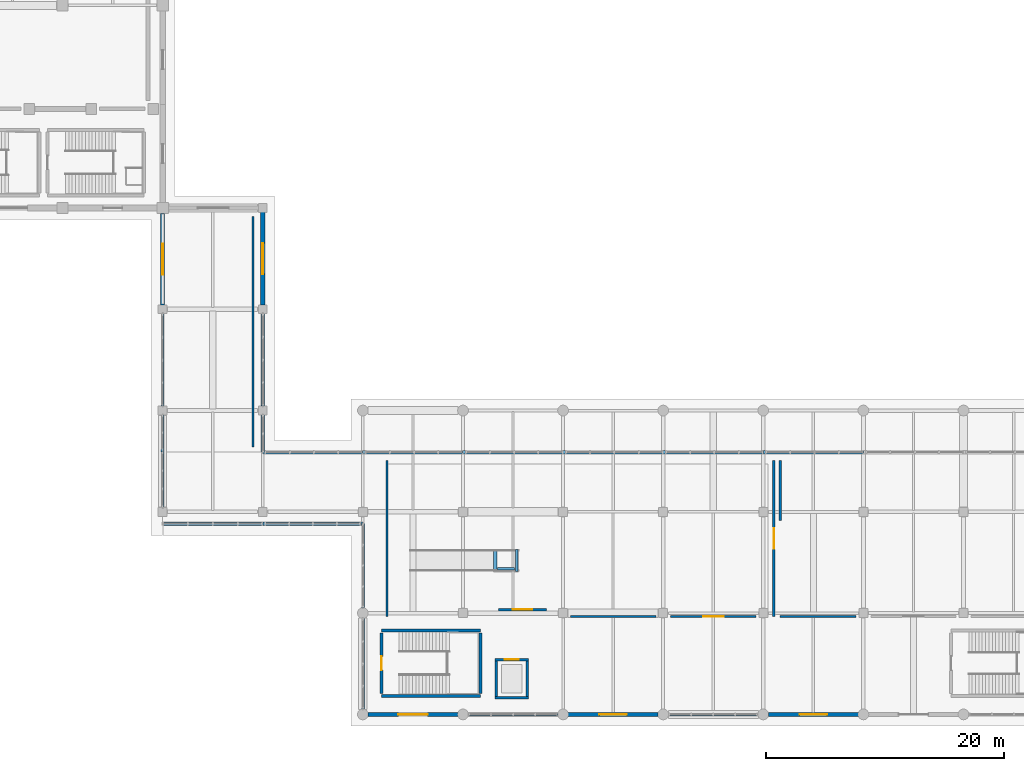
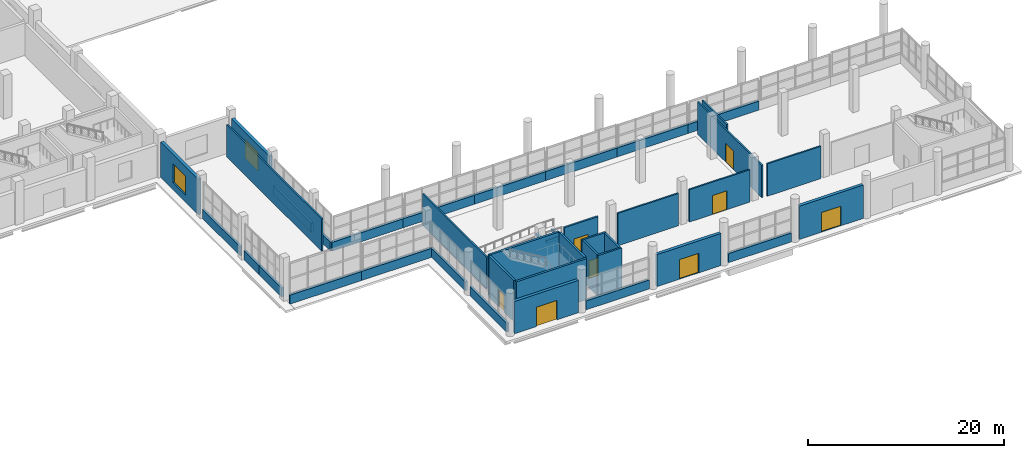
# One storey, part 91 of 107: 41 walls, 8 doors, 2 windows, 10 openings.
"""IFC4 building model written with IfcOpenShell, lengths in metres."""

from ifc_helpers import new_model, si_unit, direction, frame, frame_2d, origin, place, context, subcontext, project, spatial, rectangle, extrude, material, layer, layer_set, type_object, element, fill, save


model = new_model("IFC4")

# Units and contexts
model_context = context("Model", 3, precision=1e-05, world=origin(), true_north=direction((0.0, 1.0)))
body_context = subcontext(model_context, "Body", "Model", "MODEL_VIEW")
ifc_project = project(units=[si_unit("LENGTHUNIT", "METRE"), si_unit("AREAUNIT", "SQUARE_METRE"), si_unit("VOLUMEUNIT", "CUBIC_METRE"), si_unit("PLANEANGLEUNIT", "RADIAN"), si_unit("MASSUNIT", "GRAM", prefix="KILO")], contexts=[model_context])

# Site, building, storey
site_placement = place(None, origin())
site = spatial("IfcSite", under=ifc_project, at=site_placement, CompositionType="ELEMENT")
building_placement = place(site_placement, origin())
building = spatial("IfcBuilding", under=site, at=building_placement, Name="Solvento Point Concert Hall", CompositionType="ELEMENT")
storey_placement = place(building_placement, origin())
storey = spatial("IfcBuildingStorey", under=building, at=storey_placement, Name="L00", CompositionType="ELEMENT", Elevation=0.0)

# Wall, opening, door
ifc_material_1 = material(Name="Acoustic Double-Stud Gypsum Partition")
ifc_layer_1 = layer(ifc_material_1, 0.179931640625)
ifc_layer_set_1 = layer_set([ifc_layer_1], Name="Acoustic Double-Stud Gypsum Partition")
wall_type_1 = type_object("IfcWallType", Name="AcousticPartition_180", PredefinedType="PARTITIONING", material=ifc_layer_set_1)
wall_1_placement = place(storey_placement, frame((182.97509765625, 8.219970703125, 0.0), z_axis=(0.0, 0.0, 1.0), x_axis=(-1.0, 0.0, 0.0)))
wall_1 = element("IfcWall", 1, at=wall_1_placement, inside=storey, type_object=wall_type_1, Name="Interior acoustic partition PW-63 L00", PredefinedType="PARTITIONING", context=body_context, shape_type="SweptSolid", body=[
    extrude(rectangle(XDim=7.150146484375, YDim=0.179931640625, at=frame_2d((3.5751953125, 0.0))), origin(), (0.0, 0.0, 1.0), 4.0400390625),
])
opening_1_placement = place(wall_1_placement, frame((2.715087890625, 0.0, 0.0)))
opening_1 = element("IfcOpeningElement", 2, at=opening_1_placement, cuts=wall_1, Name="Opening DR-35", PredefinedType="OPENING", context=body_context, shape_type="SweptSolid", body=[
    extrude(rectangle(XDim=1.719970703125, YDim=2.360107421875, at=frame_2d((0.85986328125, 1.18017578125))), frame((0.0, 0.099853515625, 0.0), z_axis=(0.0, -1.0, 0.0), x_axis=(1.0, 0.0, 0.0)), (0.0, 0.0, 1.0), 0.199951171875),
])
ifc_material_2 = material(Name="Brazilian Hardwood Acoustic Door", Category="wood")
door_type_1 = type_object("IfcDoorType", Name="IntDoor_FoyerCafeRetail", OperationType="NOTDEFINED", PredefinedType="DOOR", material=ifc_material_2)
door_1_placement = place(opening_1_placement, origin())
door_1 = element("IfcDoor", 3, at=door_1_placement, inside=storey, type_object=door_type_1, Name="Interior door DR-35 L00", OperationType="SINGLE_SWING_LEFT", OverallHeight=2.360107421875, OverallWidth=1.719970703125, PredefinedType="DOOR", context=body_context, shape_type="SweptSolid", body=[
    extrude(rectangle(XDim=1.719970703125, YDim=2.360107421875, at=frame_2d((0.85986328125, 1.18017578125))), frame((0.0, 0.02490234375, 0.0), z_axis=(0.0, -1.0, 0.0), x_axis=(1.0, 0.0, 0.0)), (0.0, 0.0, 1.0), 0.050048828125),
])
fill(opening_1, door_1)

# Wall
wall_2_placement = place(storey_placement, frame((174.574951171875, 8.219970703125, 0.0), z_axis=(0.0, 0.0, 1.0), x_axis=(-1.0, 0.0, 0.0)))
element("IfcWall", 4, at=wall_2_placement, inside=storey, type_object=wall_type_1, Name="Interior acoustic partition PW-63 L00", PredefinedType="PARTITIONING", context=body_context, shape_type="SweptSolid", body=[
    extrude(rectangle(XDim=7.14990234375, YDim=0.179931640625, at=frame_2d((3.574951171875, 0.0))), origin(), (0.0, 0.0, 1.0), 4.0400390625),
])

# Wall, opening, door
wall_3_placement = place(storey_placement, frame((184.47998046875, 21.300048828125, 0.0), z_axis=(0.0, 0.0, 1.0), x_axis=(0.0, -1.0, 0.0)))
wall_3 = element("IfcWall", 5, at=wall_3_placement, inside=storey, type_object=wall_type_1, Name="Interior acoustic partition PW-63 L00", PredefinedType="PARTITIONING", context=body_context, shape_type="SweptSolid", body=[
    extrude(rectangle(XDim=13.080078125, YDim=0.179931640625, at=frame_2d((6.5400390625, 0.0))), origin(), (0.0, 0.0, 1.0), 4.0400390625),
])
opening_2_placement = place(wall_3_placement, frame((5.679931640625, 0.0, 0.0)))
opening_2 = element("IfcOpeningElement", 6, at=opening_2_placement, cuts=wall_3, Name="Opening DR-35", PredefinedType="OPENING", context=body_context, shape_type="SweptSolid", body=[
    extrude(rectangle(XDim=1.719970703125, YDim=2.360107421875, at=frame_2d((0.85986328125, 1.18017578125))), frame((0.0, 0.099853515625, 0.0), z_axis=(0.0, -1.0, 0.0), x_axis=(1.0, 0.0, 0.0)), (0.0, 0.0, 1.0), 0.199951171875),
])
door_2_placement = place(opening_2_placement, origin())
door_2 = element("IfcDoor", 7, at=door_2_placement, inside=storey, type_object=door_type_1, Name="Interior door DR-35 L00", OperationType="SINGLE_SWING_RIGHT", OverallHeight=2.360107421875, OverallWidth=1.719970703125, PredefinedType="DOOR", context=body_context, shape_type="SweptSolid", body=[
    extrude(rectangle(XDim=1.719970703125, YDim=2.360107421875, at=frame_2d((0.85986328125, 1.18017578125))), frame((0.0, 0.02490234375, 0.0), z_axis=(0.0, -1.0, 0.0), x_axis=(1.0, 0.0, 0.0)), (0.0, 0.0, 1.0), 0.050048828125),
])
fill(opening_2, door_2)

# Walls
wall_4_placement = place(storey_placement, frame((152.02001953125, 8.219970703125, 0.0), z_axis=(0.0, 0.0, 1.0), x_axis=(0.0, 1.0, 0.0)))
element("IfcWall", 8, at=wall_4_placement, inside=storey, type_object=wall_type_1, Name="Interior acoustic partition PW-63 L00", PredefinedType="PARTITIONING", context=body_context, shape_type="SweptSolid", body=[
    extrude(rectangle(XDim=13.080078125, YDim=0.179931640625, at=frame_2d((6.5400390625, 0.0))), origin(), (0.0, 0.0, 1.0), 3.93798828125),
])
wall_5_placement = place(storey_placement, frame((191.375, 8.219970703125, 0.0), z_axis=(0.0, 0.0, 1.0), x_axis=(-1.0, 0.0, 0.0)))
element("IfcWall", 9, at=wall_5_placement, inside=storey, type_object=wall_type_1, Name="Interior acoustic partition PW-63 L00", PredefinedType="PARTITIONING", context=body_context, shape_type="SweptSolid", body=[
    extrude(rectangle(XDim=6.35498046875, YDim=0.179931640625, at=frame_2d((3.177490234375, 0.0))), origin(), (0.0, 0.0, 1.0), 4.0400390625),
])
wall_6_placement = place(storey_placement, frame((185.02001953125, 16.26416015625, 0.0), z_axis=(0.0, 0.0, 1.0), x_axis=(0.0, 1.0, 0.0)))
element("IfcWall", 10, at=wall_6_placement, inside=storey, type_object=wall_type_1, Name="Interior acoustic partition PW-63 L00", PredefinedType="PARTITIONING", context=body_context, shape_type="SweptSolid", body=[
    extrude(rectangle(XDim=5.035888671875, YDim=0.179931640625, at=frame_2d((2.51806640625, 0.0))), origin(), (0.0, 0.0, 1.0), 4.0400390625),
])
wall_7_placement = place(storey_placement, frame((140.780029296875, 41.800048828125, 0.0), z_axis=(0.0, 0.0, 1.0), x_axis=(0.0, -1.0, 0.0)))
element("IfcWall", 11, at=wall_7_placement, inside=storey, type_object=wall_type_1, Name="Interior acoustic partition PW-63 L00", PredefinedType="PARTITIONING", context=body_context, shape_type="SweptSolid", body=[
    extrude(rectangle(XDim=19.380126953125, YDim=0.179931640625, at=frame_2d((9.68994140625, 0.0))), origin(), (0.0, 0.0, 1.0), 4.0400390625),
])

# Wall, opening, door
ifc_material_3 = material(Name="Acoustic Double-Stud Gypsum Partition")
ifc_layer_2 = layer(ifc_material_3, 0.2080078125)
ifc_layer_set_2 = layer_set([ifc_layer_2], Name="Acoustic Double-Stud Gypsum Partition")
wall_type_2 = type_object("IfcWallType", Name="AcousticPartition_208", PredefinedType="PARTITIONING", material=ifc_layer_set_2)
wall_8_placement = place(storey_placement, frame((165.39990234375, 8.800048828125, 0.0), z_axis=(0.0, 0.0, 1.0), x_axis=(-1.0, 0.0, 0.0)))
wall_8 = element("IfcWall", 12, at=wall_8_placement, inside=storey, type_object=wall_type_2, Name="Lift lobby partition LP-04 L00", PredefinedType="PARTITIONING", context=body_context, shape_type="SweptSolid", body=[
    extrude(rectangle(XDim=4.0, YDim=0.2080078125, at=frame_2d((2.0, 0.0))), origin(), (0.0, 0.0, 1.0), 4.00390625),
])
opening_3_placement = place(wall_8_placement, frame((1.175048828125, 0.0, 0.0)))
opening_3 = element("IfcOpeningElement", 13, at=opening_3_placement, cuts=wall_8, Name="Opening D-FL1", PredefinedType="OPENING", context=body_context, shape_type="SweptSolid", body=[
    extrude(rectangle(XDim=1.64990234375, YDim=2.199951171875, at=frame_2d((0.824951171875, 1.10009765625))), frame((0.0, 0.114013671875, 0.0), z_axis=(0.0, -1.0, 0.0), x_axis=(1.0, 0.0, 0.0)), (0.0, 0.0, 1.0), 0.22802734375),
])
ifc_material_4 = material(Name="Hollow Metal Acoustic Fire Door")
door_type_2 = type_object("IfcDoorType", Name="FireLobbyDoor_1600", OperationType="DOUBLE_DOOR_SINGLE_SWING", PredefinedType="DOOR", material=ifc_material_4)
door_3_placement = place(opening_3_placement, origin())
door_3 = element("IfcDoor", 14, at=door_3_placement, inside=storey, type_object=door_type_2, Name="Lift lobby door LP-04 L00", OperationType="DOUBLE_DOOR_SINGLE_SWING", OverallHeight=2.199951171875, OverallWidth=1.64990234375, PredefinedType="DOOR", context=body_context, shape_type="SweptSolid", body=[
    extrude(rectangle(XDim=1.64990234375, YDim=2.199951171875, at=frame_2d((0.824951171875, 1.10009765625))), frame((0.0, 0.02490234375, 0.0), z_axis=(0.0, -1.0, 0.0), x_axis=(1.0, 0.0, 0.0)), (0.0, 0.0, 1.0), 0.050048828125),
])
fill(opening_3, door_3)

# Walls
ifc_material_5 = material(Name="Concrete C40/50", Category="concrete")
ifc_layer_3 = layer(ifc_material_5, 0.300048828125)
ifc_layer_set_3 = layer_set([ifc_layer_3], Name="Concrete C40/50")
wall_type_3 = type_object("IfcWallType", Name="CoreShearWall_300", PredefinedType="SHEAR", material=ifc_layer_set_3)
for number, where, z_axis, x_axis, name in (
    (15, (159.85009765625, 1.550048828125, 0.0), (0.0, 0.0, 1.0), (-1.0, 0.0, 0.0), "Stair core shear wall W-SH1 ST-08 L00"),
    (16, (151.550048828125, 7.050048828125, 0.0), (0.0, 0.0, 1.0), (1.0, 0.0, 0.0), "Stair core shear wall W-SH1 ST-08 L00"),
):
    element("IfcWall", number, at=place(storey_placement, frame(where, z_axis=z_axis, x_axis=x_axis)), inside=storey, type_object=wall_type_3, Name=name, PredefinedType="SHEAR", context=body_context, shape_type="SweptSolid", body=[
        extrude(rectangle(XDim=8.300048828125, YDim=0.25, at=frame_2d((4.14990234375, 0.0))), origin(), (0.0, 0.0, 1.0), 5.1201171875),
    ])

# Wall, opening, door
wall_9_placement = place(storey_placement, frame((151.550048828125, 1.75, 0.0), z_axis=(0.0, 0.0, 1.0), x_axis=(0.0, 1.0, 0.0)))
wall_9 = element("IfcWall", 17, at=wall_9_placement, inside=storey, type_object=wall_type_3, Name="Stair core shear wall W-SH1 ST-08 L00", PredefinedType="SHEAR", context=body_context, shape_type="SweptSolid", body=[
    extrude(rectangle(XDim=5.10009765625, YDim=0.25, at=frame_2d((2.550048828125, 0.0))), origin(), (0.0, 0.0, 1.0), 5.1201171875),
])
opening_4_placement = place(wall_9_placement, frame((1.97509765625, 0.0, 0.0)))
opening_4 = element("IfcOpeningElement", 18, at=opening_4_placement, cuts=wall_9, Name="Opening D-ST1", PredefinedType="OPENING", context=body_context, shape_type="SweptSolid", body=[
    extrude(rectangle(XDim=1.14990234375, YDim=2.179931640625, at=frame_2d((0.574951171875, 1.08984375))), frame((0.0, 0.135009765625, 0.0), z_axis=(0.0, -1.0, 0.0), x_axis=(1.0, 0.0, 0.0)), (0.0, 0.0, 1.0), 0.27001953125),
])
ifc_material_6 = material(Name="Hollow Metal Acoustic Fire Door")
door_type_3 = type_object("IfcDoorType", Name="StairFireDoor_1150", OperationType="NOTDEFINED", PredefinedType="DOOR", material=ifc_material_6)
door_4_placement = place(opening_4_placement, origin())
door_4 = element("IfcDoor", 19, at=door_4_placement, inside=storey, type_object=door_type_3, Name="Protected exit stair door ST-08 L00", OperationType="SINGLE_SWING_RIGHT", OverallHeight=2.179931640625, OverallWidth=1.14990234375, PredefinedType="DOOR", context=body_context, shape_type="SweptSolid", body=[
    extrude(rectangle(XDim=1.14990234375, YDim=2.179931640625, at=frame_2d((0.574951171875, 1.08984375))), frame((0.0, 0.02490234375, 0.0), z_axis=(0.0, -1.0, 0.0), x_axis=(1.0, 0.0, 0.0)), (0.0, 0.0, 1.0), 0.050048828125),
])
fill(opening_4, door_4)

# Walls
wall_10_placement = place(storey_placement, frame((159.85009765625, 6.85009765625, 0.0), z_axis=(0.0, 0.0, 1.0), x_axis=(0.0, -1.0, 0.0)))
element("IfcWall", 20, at=wall_10_placement, inside=storey, type_object=wall_type_3, Name="Stair core shear wall W-SH1 ST-08 L00", PredefinedType="SHEAR", context=body_context, shape_type="SweptSolid", body=[
    extrude(rectangle(XDim=5.10009765625, YDim=0.25, at=frame_2d((2.550048828125, 0.0))), origin(), (0.0, 0.0, 1.0), 5.1201171875),
])
wall_11_placement = place(storey_placement, frame((161.090087890625, 1.39990234375, 0.0), z_axis=(0.0, 0.0, 1.0), x_axis=(1.0, 0.0, 0.0)))
element("IfcWall", 21, at=wall_11_placement, inside=storey, type_object=wall_type_3, Name="Elevator shaft shear wall W-SH1 LP-04 L00", PredefinedType="SHEAR", context=body_context, shape_type="SweptSolid", body=[
    extrude(rectangle(XDim=2.81982421875, YDim=0.219970703125, at=frame_2d((1.409912109375, 0.0))), origin(), (0.0, 0.0, 1.0), 5.1201171875),
])

# Wall, opening, door
wall_12_placement = place(storey_placement, frame((161.090087890625, 4.60009765625, 0.0), z_axis=(0.0, 0.0, 1.0), x_axis=(1.0, 0.0, 0.0)))
wall_12 = element("IfcWall", 22, at=wall_12_placement, inside=storey, type_object=wall_type_3, Name="Elevator shaft shear wall W-SH1 LP-04 L00", PredefinedType="SHEAR", context=body_context, shape_type="SweptSolid", body=[
    extrude(rectangle(XDim=2.81982421875, YDim=0.219970703125, at=frame_2d((1.409912109375, 0.0))), origin(), (0.0, 0.0, 1.0), 5.1201171875),
])
opening_5_placement = place(wall_12_placement, frame((0.8349609375, 0.0, 0.0)))
opening_5 = element("IfcOpeningElement", 23, at=opening_5_placement, cuts=wall_12, Name="Opening LD-02", PredefinedType="OPENING", context=body_context, shape_type="SweptSolid", body=[
    extrude(rectangle(XDim=1.14990234375, YDim=2.199951171875, at=frame_2d((0.574951171875, 1.10009765625))), frame((0.0, 0.119873046875, 0.0), z_axis=(0.0, -1.0, 0.0), x_axis=(1.0, 0.0, 0.0)), (0.0, 0.0, 1.0), 0.239990234375),
])
ifc_material_7 = material(Name="Hollow Metal Acoustic Fire Door")
door_type_4 = type_object("IfcDoorType", Name="LiftLandingDoor_Pass", OperationType="SLIDING_TO_LEFT", PredefinedType="DOOR", material=ifc_material_7)
door_5_placement = place(opening_5_placement, origin())
door_5 = element("IfcDoor", 24, at=door_5_placement, inside=storey, type_object=door_type_4, Name="Elevator landing door LP-04 L00", OperationType="SLIDING_TO_LEFT", OverallHeight=2.199951171875, OverallWidth=1.14990234375, PredefinedType="DOOR", context=body_context, shape_type="SweptSolid", body=[
    extrude(rectangle(XDim=1.14990234375, YDim=2.199951171875, at=frame_2d((0.574951171875, 1.10009765625))), frame((0.0, 0.02490234375, 0.0), z_axis=(0.0, -1.0, 0.0), x_axis=(1.0, 0.0, 0.0)), (0.0, 0.0, 1.0), 0.050048828125),
])
fill(opening_5, door_5)

# Walls
for number, where, z_axis, x_axis, name in (
    (25, (161.199951171875, 1.510009765625, 0.0), (0.0, 0.0, 1.0), (0.0, 1.0, 0.0), "Elevator shaft shear wall W-SH1 LP-04 L00"),
    (26, (163.800048828125, 1.510009765625, 0.0), (0.0, 0.0, 1.0), (0.0, 1.0, 0.0), "Elevator shaft shear wall W-SH1 LP-04 L00"),
):
    element("IfcWall", number, at=place(storey_placement, frame(where, z_axis=z_axis, x_axis=x_axis)), inside=storey, type_object=wall_type_3, Name=name, PredefinedType="SHEAR", context=body_context, shape_type="SweptSolid", body=[
        extrude(rectangle(XDim=2.97998046875, YDim=0.219970703125, at=frame_2d((1.489990234375, 0.0))), origin(), (0.0, 0.0, 1.0), 5.1201171875),
    ])
wall_13_placement = place(storey_placement, frame((161.1201171875, 11.97998046875, 0.0), z_axis=(0.0, 0.0, 1.0), x_axis=(0.0, 1.0, 0.0)))
element("IfcWall", 27, at=wall_13_placement, inside=storey, type_object=wall_type_3, Name="Ramp landing stem wall W-SH1 RMP-H2", PredefinedType="SHEAR", context=body_context, shape_type="SweptSolid", body=[
    extrude(rectangle(XDim=1.840087890625, YDim=0.280029296875, at=frame_2d((0.919921875, 0.0))), origin(), (0.0, 0.0, 1.0), 0.3701171875),
])
wall_14_placement = place(storey_placement, frame((162.909912109375, 11.97998046875, 0.0), z_axis=(0.0, 0.0, 1.0), x_axis=(0.0, 1.0, 0.0)))
element("IfcWall", 28, at=wall_14_placement, inside=storey, type_object=wall_type_3, Name="Ramp landing stem wall W-SH1 RMP-H2", PredefinedType="SHEAR", context=body_context, shape_type="SweptSolid", body=[
    extrude(rectangle(XDim=1.840087890625, YDim=0.219970703125, at=frame_2d((0.919921875, 0.0))), origin(), (0.0, 0.0, 1.0), 0.3701171875),
])
wall_15_placement = place(storey_placement, frame((161.300048828125, 12.219970703125, 0.0), z_axis=(0.0, 0.0, 1.0), x_axis=(1.0, 0.0, 0.0)))
element("IfcWall", 29, at=wall_15_placement, inside=storey, type_object=wall_type_3, Name="Ramp landing stem wall W-SH1 RMP-H2", PredefinedType="SHEAR", context=body_context, shape_type="SweptSolid", body=[
    extrude(rectangle(XDim=1.429931640625, YDim=0.199951171875, at=frame_2d((0.71484375, 0.0))), origin(), (0.0, 0.0, 1.0), 0.3701171875),
])

# Wall, opening, window
ifc_material_8 = material(Name="Concrete C40/50", Category="concrete")
ifc_layer_4 = layer(ifc_material_8, 0.35009765625)
ifc_layer_set_4 = layer_set([ifc_layer_4], Name="Concrete C40/50")
wall_type_4 = type_object("IfcWallType", Name="ExtWall_V3_Chamber_350", PredefinedType="SOLIDWALL", material=ifc_layer_set_4)
wall_16_placement = place(storey_placement, frame((141.60009765625, 42.14501953125, 0.0), z_axis=(0.0, 0.0, 1.0), x_axis=(0.0, -1.0, 0.0)))
wall_16 = element("IfcWall", 30, at=wall_16_placement, inside=storey, type_object=wall_type_4, Name="Exterior architectural concrete wall EW-73 L00", PredefinedType="SOLIDWALL", context=body_context, shape_type="SweptSolid", body=[
    extrude(rectangle(XDim=7.7900390625, YDim=0.35009765625, at=frame_2d((3.89501953125, 0.0))), origin(), (0.0, 0.0, 1.0), 4.35400390625),
])
opening_6_placement = place(wall_16_placement, frame((2.594970703125, 0.0, 0.89990234375)))
opening_6 = element("IfcOpeningElement", 31, at=opening_6_placement, cuts=wall_16, Name="Opening WN-86", PredefinedType="OPENING", context=body_context, shape_type="SweptSolid", body=[
    extrude(rectangle(XDim=2.60009765625, YDim=2.35009765625, at=frame_2d((1.300048828125, 1.175048828125))), frame((0.0, 0.18505859375, 0.0), z_axis=(0.0, -1.0, 0.0), x_axis=(1.0, 0.0, 0.0)), (0.0, 0.0, 1.0), 0.3701171875),
])
ifc_material_9 = material(Name="Hurricane Laminated Low-E Glass", Category="glass")
window_type = type_object("IfcWindowType", Name="Win_V3_CafeStorefront", PartitioningType="SINGLE_PANEL", PredefinedType="WINDOW", material=ifc_material_9)
window_1_placement = place(opening_6_placement, origin())
window_1 = element("IfcWindow", 32, at=window_1_placement, inside=storey, type_object=window_type, Name="Impact acoustic window WN-86", OverallHeight=2.35009765625, OverallWidth=2.60009765625, PartitioningType="SINGLE_PANEL", PredefinedType="WINDOW", context=body_context, shape_type="SweptSolid", body=[
    extrude(rectangle(XDim=2.60009765625, YDim=2.35009765625, at=frame_2d((1.300048828125, 1.175048828125))), frame((0.0, 0.030029296875, 0.0), z_axis=(0.0, -1.0, 0.0), x_axis=(1.0, 0.0, 0.0)), (0.0, 0.0, 1.0), 0.06005859375),
])
fill(opening_6, window_1)

# Wall, opening, door
wall_17_placement = place(storey_placement, frame((157.969970703125, 0.0, 0.0), z_axis=(0.0, 0.0, 1.0), x_axis=(-1.0, 0.0, 0.0)))
wall_17 = element("IfcWall", 33, at=wall_17_placement, inside=storey, type_object=wall_type_4, Name="Exterior architectural concrete wall EW-73 L00", PredefinedType="SOLIDWALL", context=body_context, shape_type="SweptSolid", body=[
    extrude(rectangle(XDim=7.5400390625, YDim=0.35009765625, at=frame_2d((3.77001953125, 0.0))), origin(), (0.0, 0.0, 1.0), 4.037109375),
])
opening_7_placement = place(wall_17_placement, frame((2.544921875, 0.0, 0.0)))
opening_7 = element("IfcOpeningElement", 34, at=opening_7_placement, cuts=wall_17, Name="Opening ED-06", PredefinedType="OPENING", context=body_context, shape_type="SweptSolid", body=[
    extrude(rectangle(XDim=2.449951171875, YDim=2.419921875, at=frame_2d((1.22509765625, 1.2099609375))), frame((0.0, 0.18505859375, 0.0), z_axis=(0.0, -1.0, 0.0), x_axis=(1.0, 0.0, 0.0)), (0.0, 0.0, 1.0), 0.3701171875),
])
ifc_material_10 = material(Name="Anodized Bronze Aluminium", Category="aluminium")
door_type_5 = type_object("IfcDoorType", Name="PedestrianExitDoor_ED-06", OperationType="DOUBLE_DOOR_SINGLE_SWING", PredefinedType="DOOR", material=ifc_material_10)
door_6_placement = place(opening_7_placement, origin())
door_6 = element("IfcDoor", 35, at=door_6_placement, inside=storey, type_object=door_type_5, Name="Perimeter stair passageway final exit discharge double door ED-06", OperationType="DOUBLE_DOOR_SINGLE_SWING", OverallHeight=2.419921875, OverallWidth=2.449951171875, PredefinedType="DOOR", context=body_context, shape_type="SweptSolid", body=[
    extrude(rectangle(XDim=2.449951171875, YDim=2.419921875, at=frame_2d((1.22509765625, 1.2099609375))), frame((0.0, 0.02490234375, 0.0), z_axis=(0.0, -1.0, 0.0), x_axis=(1.0, 0.0, 0.0)), (0.0, 0.0, 1.0), 0.050048828125),
])
fill(opening_7, door_6)

wall_18_placement = place(storey_placement, frame((174.77001953125, 0.0, 0.0), z_axis=(0.0, 0.0, 1.0), x_axis=(-1.0, 0.0, 0.0)))
wall_18 = element("IfcWall", 36, at=wall_18_placement, inside=storey, type_object=wall_type_4, Name="Exterior architectural concrete wall EW-73 L00", PredefinedType="SOLIDWALL", context=body_context, shape_type="SweptSolid", body=[
    extrude(rectangle(XDim=7.5400390625, YDim=0.35009765625, at=frame_2d((3.77001953125, 0.0))), origin(), (0.0, 0.0, 1.0), 4.00390625),
])
opening_8_placement = place(wall_18_placement, frame((2.6201171875, 0.0, 0.0)))
opening_8 = element("IfcOpeningElement", 37, at=opening_8_placement, cuts=wall_18, Name="Opening ED-03", PredefinedType="OPENING", context=body_context, shape_type="SweptSolid", body=[
    extrude(rectangle(XDim=2.300048828125, YDim=2.449951171875, at=frame_2d((1.14990234375, 1.22509765625))), frame((0.0, 0.18505859375, 0.0), z_axis=(0.0, -1.0, 0.0), x_axis=(1.0, 0.0, 0.0)), (0.0, 0.0, 1.0), 0.3701171875),
])
ifc_material_11 = material(Name="Anodized Bronze Aluminium", Category="aluminium")
door_type_6 = type_object("IfcDoorType", Name="PedestrianExitDoor_ED-03", OperationType="DOUBLE_DOOR_SINGLE_SWING", PredefinedType="DOOR", material=ifc_material_11)
door_7_placement = place(opening_8_placement, origin())
door_7 = element("IfcDoor", 38, at=door_7_placement, inside=storey, type_object=door_type_6, Name="Garden cafe veranda pedestrian exit double door ED-03", OperationType="DOUBLE_DOOR_SINGLE_SWING", OverallHeight=2.449951171875, OverallWidth=2.300048828125, PredefinedType="DOOR", context=body_context, shape_type="SweptSolid", body=[
    extrude(rectangle(XDim=2.300048828125, YDim=2.449951171875, at=frame_2d((1.14990234375, 1.22509765625))), frame((0.0, 0.02490234375, 0.0), z_axis=(0.0, -1.0, 0.0), x_axis=(1.0, 0.0, 0.0)), (0.0, 0.0, 1.0), 0.050048828125),
])
fill(opening_8, door_7)

wall_19_placement = place(storey_placement, frame((191.570068359375, 0.0, 0.0), z_axis=(0.0, 0.0, 1.0), x_axis=(-1.0, 0.0, 0.0)))
wall_19 = element("IfcWall", 39, at=wall_19_placement, inside=storey, type_object=wall_type_4, Name="Exterior architectural concrete wall EW-73 L00", PredefinedType="SOLIDWALL", context=body_context, shape_type="SweptSolid", body=[
    extrude(rectangle(XDim=7.5400390625, YDim=0.35009765625, at=frame_2d((3.77001953125, 0.0))), origin(), (0.0, 0.0, 1.0), 4.1640625),
])
opening_9_placement = place(wall_19_placement, frame((2.6201171875, 0.0, 0.0)))
opening_9 = element("IfcOpeningElement", 40, at=opening_9_placement, cuts=wall_19, Name="Opening ED-03", PredefinedType="OPENING", context=body_context, shape_type="SweptSolid", body=[
    extrude(rectangle(XDim=2.300048828125, YDim=2.449951171875, at=frame_2d((1.14990234375, 1.22509765625))), frame((0.0, 0.18505859375, 0.0), z_axis=(0.0, -1.0, 0.0), x_axis=(1.0, 0.0, 0.0)), (0.0, 0.0, 1.0), 0.3701171875),
])
door_8_placement = place(opening_9_placement, origin())
door_8 = element("IfcDoor", 41, at=door_8_placement, inside=storey, type_object=door_type_6, Name="Garden cafe veranda pedestrian exit double door ED-03", OperationType="DOUBLE_DOOR_SINGLE_SWING", OverallHeight=2.449951171875, OverallWidth=2.300048828125, PredefinedType="DOOR", context=body_context, shape_type="SweptSolid", body=[
    extrude(rectangle(XDim=2.300048828125, YDim=2.449951171875, at=frame_2d((1.14990234375, 1.22509765625))), frame((0.0, 0.02490234375, 0.0), z_axis=(0.0, -1.0, 0.0), x_axis=(1.0, 0.0, 0.0)), (0.0, 0.0, 1.0), 0.050048828125),
])
fill(opening_9, door_8)

# Wall, opening, window
wall_20_placement = place(storey_placement, frame((133.199951171875, 34.35498046875, 0.0), z_axis=(0.0, 0.0, 1.0), x_axis=(0.0, 1.0, 0.0)))
wall_20 = element("IfcWall", 42, at=wall_20_placement, inside=storey, type_object=wall_type_4, Name="Exterior architectural concrete wall EW-73 L00", PredefinedType="SOLIDWALL", context=body_context, shape_type="SweptSolid", body=[
    extrude(rectangle(XDim=7.68994140625, YDim=0.35009765625, at=frame_2d((3.844970703125, 0.0))), origin(), (0.0, 0.0, 1.0), 4.430908203125),
])
opening_10_placement = place(wall_20_placement, frame((2.544921875, 0.0, 0.89990234375)))
opening_10 = element("IfcOpeningElement", 43, at=opening_10_placement, cuts=wall_20, Name="Opening WN-86", PredefinedType="OPENING", context=body_context, shape_type="SweptSolid", body=[
    extrude(rectangle(XDim=2.60009765625, YDim=2.35009765625, at=frame_2d((1.300048828125, 1.175048828125))), frame((0.0, 0.18505859375, 0.0), z_axis=(0.0, -1.0, 0.0), x_axis=(1.0, 0.0, 0.0)), (0.0, 0.0, 1.0), 0.3701171875),
])
window_2_placement = place(opening_10_placement, origin())
window_2 = element("IfcWindow", 44, at=window_2_placement, inside=storey, type_object=window_type, Name="Impact acoustic window WN-86", OverallHeight=2.35009765625, OverallWidth=2.60009765625, PartitioningType="SINGLE_PANEL", PredefinedType="WINDOW", context=body_context, shape_type="SweptSolid", body=[
    extrude(rectangle(XDim=2.60009765625, YDim=2.35009765625, at=frame_2d((1.300048828125, 1.175048828125))), frame((0.0, 0.030029296875, 0.0), z_axis=(0.0, -1.0, 0.0), x_axis=(1.0, 0.0, 0.0)), (0.0, 0.0, 1.0), 0.06005859375),
])
fill(opening_10, window_2)

# Walls
ifc_material_12 = material(Name="Concrete C40/50", Category="concrete")
ifc_layer_5 = layer(ifc_material_12, 0.260009765625)
ifc_layer_set_5 = layer_set([ifc_layer_5], Name="Concrete C40/50")
wall_type_5 = type_object("IfcWallType", Name="Parapet_Ring_260", PredefinedType="PARAPET", material=ifc_layer_set_5)
wall_21_placement = place(storey_placement, frame((141.60009765625, 25.10498046875, 0.0), z_axis=(0.0, 0.0, 1.0), x_axis=(0.0, -1.0, 0.0)))
element("IfcWall", 45, at=wall_21_placement, inside=storey, type_object=wall_type_5, Name="Sliding elliptical white concrete ring spandrel PR-01 L00", PredefinedType="PARAPET", context=body_context, shape_type="SweptSolid", body=[
    extrude(rectangle(XDim=3.10498046875, YDim=0.260009765625, at=frame_2d((1.552490234375, 0.0))), origin(), (0.0, 0.0, 1.0), 1.1201171875),
])
wall_22_placement = place(storey_placement, frame((141.60009765625, 33.60498046875, 0.0), z_axis=(0.0, 0.0, 1.0), x_axis=(0.0, -1.0, 0.0)))
element("IfcWall", 46, at=wall_22_placement, inside=storey, type_object=wall_type_5, Name="Sliding elliptical white concrete ring spandrel PR-01 L00", PredefinedType="PARAPET", context=body_context, shape_type="SweptSolid", body=[
    extrude(rectangle(XDim=7.7099609375, YDim=0.260009765625, at=frame_2d((3.85498046875, 0.0))), origin(), (0.0, 0.0, 1.0), 1.1201171875),
])
for number, where, z_axis, x_axis, name in (
    (47, (141.60009765625, 22.0, 0.0), (0.0, 0.0, 1.0), (1.0, 0.0, 0.0), "Sliding elliptical white concrete ring spandrel PR-01 L00"),
    (48, (150.0, 22.0, 0.0), (0.0, 0.0, 1.0), (1.0, 0.0, 0.0), "Sliding elliptical white concrete ring spandrel PR-01 L00"),
):
    element("IfcWall", number, at=place(storey_placement, frame(where, z_axis=z_axis, x_axis=x_axis)), inside=storey, type_object=wall_type_5, Name=name, PredefinedType="PARAPET", context=body_context, shape_type="SweptSolid", body=[
        extrude(rectangle(XDim=8.39990234375, YDim=0.260009765625, at=frame_2d((4.199951171875, 0.0))), origin(), (0.0, 0.0, 1.0), 1.1201171875),
    ])
wall_23_placement = place(storey_placement, frame((158.39990234375, 22.0, 0.0), z_axis=(0.0, 0.0, 1.0), x_axis=(1.0, 0.0, 0.0)))
element("IfcWall", 49, at=wall_23_placement, inside=storey, type_object=wall_type_5, Name="Sliding elliptical white concrete ring spandrel PR-01 L00", PredefinedType="PARAPET", context=body_context, shape_type="SweptSolid", body=[
    extrude(rectangle(XDim=8.400146484375, YDim=0.260009765625, at=frame_2d((4.2001953125, 0.0))), origin(), (0.0, 0.0, 1.0), 1.1201171875),
])
wall_24_placement = place(storey_placement, frame((166.800048828125, 22.0, 0.0), z_axis=(0.0, 0.0, 1.0), x_axis=(1.0, 0.0, 0.0)))
element("IfcWall", 50, at=wall_24_placement, inside=storey, type_object=wall_type_5, Name="Sliding elliptical white concrete ring spandrel PR-01 L00", PredefinedType="PARAPET", context=body_context, shape_type="SweptSolid", body=[
    extrude(rectangle(XDim=8.39990234375, YDim=0.260009765625, at=frame_2d((4.199951171875, 0.0))), origin(), (0.0, 0.0, 1.0), 1.1201171875),
])
wall_25_placement = place(storey_placement, frame((175.199951171875, 22.0, 0.0), z_axis=(0.0, 0.0, 1.0), x_axis=(1.0, 0.0, 0.0)))
element("IfcWall", 51, at=wall_25_placement, inside=storey, type_object=wall_type_5, Name="Sliding elliptical white concrete ring spandrel PR-01 L00", PredefinedType="PARAPET", context=body_context, shape_type="SweptSolid", body=[
    extrude(rectangle(XDim=8.400146484375, YDim=0.260009765625, at=frame_2d((4.2001953125, 0.0))), origin(), (0.0, 0.0, 1.0), 1.1201171875),
])
wall_26_placement = place(storey_placement, frame((183.60009765625, 22.0, 0.0), z_axis=(0.0, 0.0, 1.0), x_axis=(1.0, 0.0, 0.0)))
element("IfcWall", 52, at=wall_26_placement, inside=storey, type_object=wall_type_5, Name="Sliding elliptical white concrete ring spandrel PR-01 L00", PredefinedType="PARAPET", context=body_context, shape_type="SweptSolid", body=[
    extrude(rectangle(XDim=8.39990234375, YDim=0.260009765625, at=frame_2d((4.199951171875, 0.0))), origin(), (0.0, 0.0, 1.0), 1.1201171875),
])
for number, where, z_axis, x_axis, name in (
    (53, (166.330078125, 0.0, 0.0), (0.0, 0.0, 1.0), (-1.0, 0.0, 0.0), "Sliding elliptical white concrete ring spandrel PR-01 L00"),
    (54, (183.1298828125, 0.0, 0.0), (0.0, 0.0, 1.0), (-1.0, 0.0, 0.0), "Sliding elliptical white concrete ring spandrel PR-01 L00"),
):
    element("IfcWall", number, at=place(storey_placement, frame(where, z_axis=z_axis, x_axis=x_axis)), inside=storey, type_object=wall_type_5, Name=name, PredefinedType="PARAPET", context=body_context, shape_type="SweptSolid", body=[
        extrude(rectangle(XDim=7.4599609375, YDim=0.260009765625, at=frame_2d((3.72998046875, 0.0))), origin(), (0.0, 0.0, 1.0), 1.1201171875),
    ])
wall_27_placement = place(storey_placement, frame((150.0, 0.469970703125, 0.0), z_axis=(0.0, 0.0, 1.0), x_axis=(0.0, 1.0, 0.0)))
element("IfcWall", 55, at=wall_27_placement, inside=storey, type_object=wall_type_5, Name="Sliding elliptical white concrete ring spandrel PR-01 L00", PredefinedType="PARAPET", context=body_context, shape_type="SweptSolid", body=[
    extrude(rectangle(XDim=7.56005859375, YDim=0.260009765625, at=frame_2d((3.780029296875, 0.0))), origin(), (0.0, 0.0, 1.0), 1.1201171875),
])
wall_28_placement = place(storey_placement, frame((150.0, 8.969970703125, 0.0), z_axis=(0.0, 0.0, 1.0), x_axis=(0.0, 1.0, 0.0)))
element("IfcWall", 56, at=wall_28_placement, inside=storey, type_object=wall_type_5, Name="Sliding elliptical white concrete ring spandrel PR-01 L00", PredefinedType="PARAPET", context=body_context, shape_type="SweptSolid", body=[
    extrude(rectangle(XDim=7.030029296875, YDim=0.260009765625, at=frame_2d((3.51513671875, 0.0))), origin(), (0.0, 0.0, 1.0), 1.1201171875),
])
wall_29_placement = place(storey_placement, frame((141.60009765625, 16.0, 0.0), z_axis=(0.0, 0.0, 1.0), x_axis=(-1.0, 0.0, 0.0)))
element("IfcWall", 57, at=wall_29_placement, inside=storey, type_object=wall_type_5, Name="Sliding elliptical white concrete ring spandrel PR-01 L00", PredefinedType="PARAPET", context=body_context, shape_type="SweptSolid", body=[
    extrude(rectangle(XDim=8.400146484375, YDim=0.260009765625, at=frame_2d((4.2001953125, 0.0))), origin(), (0.0, 0.0, 1.0), 1.1201171875),
])
wall_30_placement = place(storey_placement, frame((150.0, 16.0, 0.0), z_axis=(0.0, 0.0, 1.0), x_axis=(-1.0, 0.0, 0.0)))
element("IfcWall", 58, at=wall_30_placement, inside=storey, type_object=wall_type_5, Name="Sliding elliptical white concrete ring spandrel PR-01 L00", PredefinedType="PARAPET", context=body_context, shape_type="SweptSolid", body=[
    extrude(rectangle(XDim=8.39990234375, YDim=0.260009765625, at=frame_2d((4.199951171875, 0.0))), origin(), (0.0, 0.0, 1.0), 1.1201171875),
])
wall_31_placement = place(storey_placement, frame((133.199951171875, 17.39501953125, 0.0), z_axis=(0.0, 0.0, 1.0), x_axis=(0.0, 1.0, 0.0)))
element("IfcWall", 59, at=wall_31_placement, inside=storey, type_object=wall_type_5, Name="Sliding elliptical white concrete ring spandrel PR-01 L00", PredefinedType="PARAPET", context=body_context, shape_type="SweptSolid", body=[
    extrude(rectangle(XDim=4.60498046875, YDim=0.260009765625, at=frame_2d((2.302490234375, 0.0))), origin(), (0.0, 0.0, 1.0), 1.1201171875),
])
wall_32_placement = place(storey_placement, frame((133.199951171875, 22.0, 0.0), z_axis=(0.0, 0.0, 1.0), x_axis=(0.0, 1.0, 0.0)))
element("IfcWall", 60, at=wall_32_placement, inside=storey, type_object=wall_type_5, Name="Sliding elliptical white concrete ring spandrel PR-01 L00", PredefinedType="PARAPET", context=body_context, shape_type="SweptSolid", body=[
    extrude(rectangle(XDim=3.10498046875, YDim=0.260009765625, at=frame_2d((1.552490234375, 0.0))), origin(), (0.0, 0.0, 1.0), 1.1201171875),
])
wall_33_placement = place(storey_placement, frame((133.199951171875, 25.89501953125, 0.0), z_axis=(0.0, 0.0, 1.0), x_axis=(0.0, 1.0, 0.0)))
element("IfcWall", 61, at=wall_33_placement, inside=storey, type_object=wall_type_5, Name="Sliding elliptical white concrete ring spandrel PR-01 L00", PredefinedType="PARAPET", context=body_context, shape_type="SweptSolid", body=[
    extrude(rectangle(XDim=7.7099609375, YDim=0.260009765625, at=frame_2d((3.85498046875, 0.0))), origin(), (0.0, 0.0, 1.0), 1.1201171875),
])

save(model, "model.ifc")
